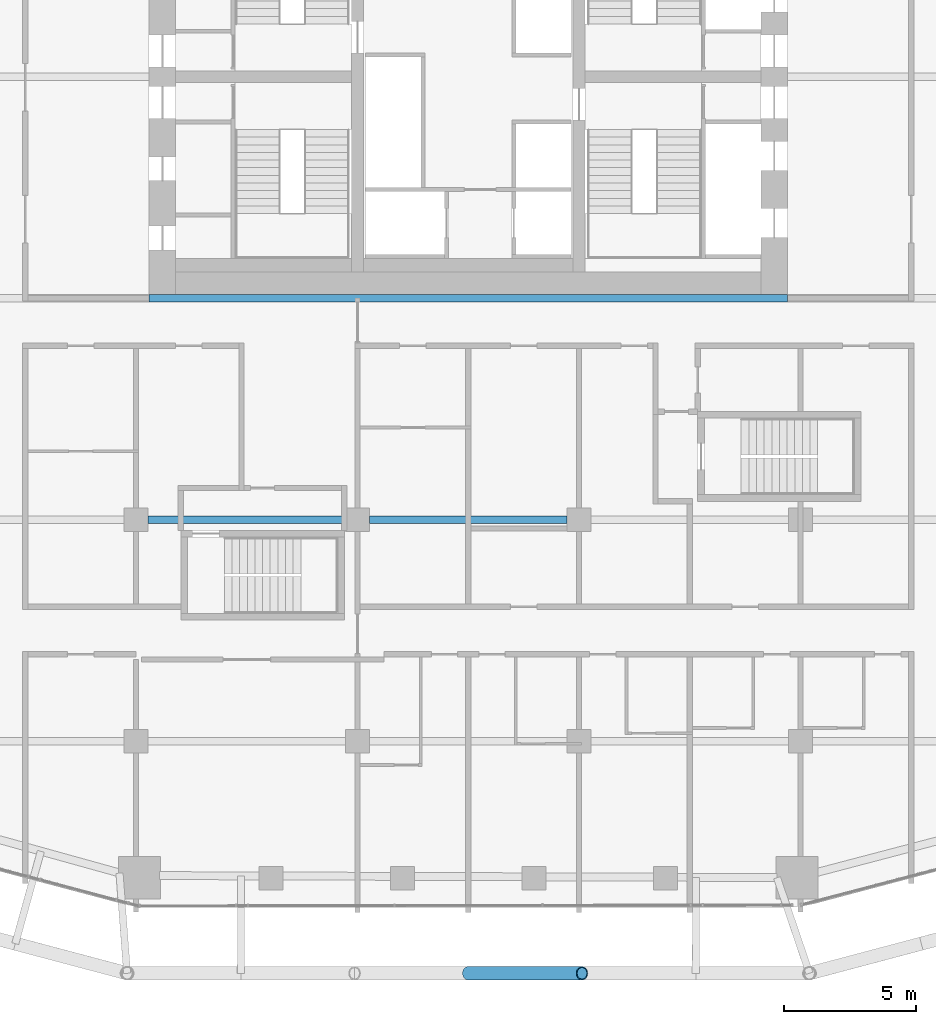
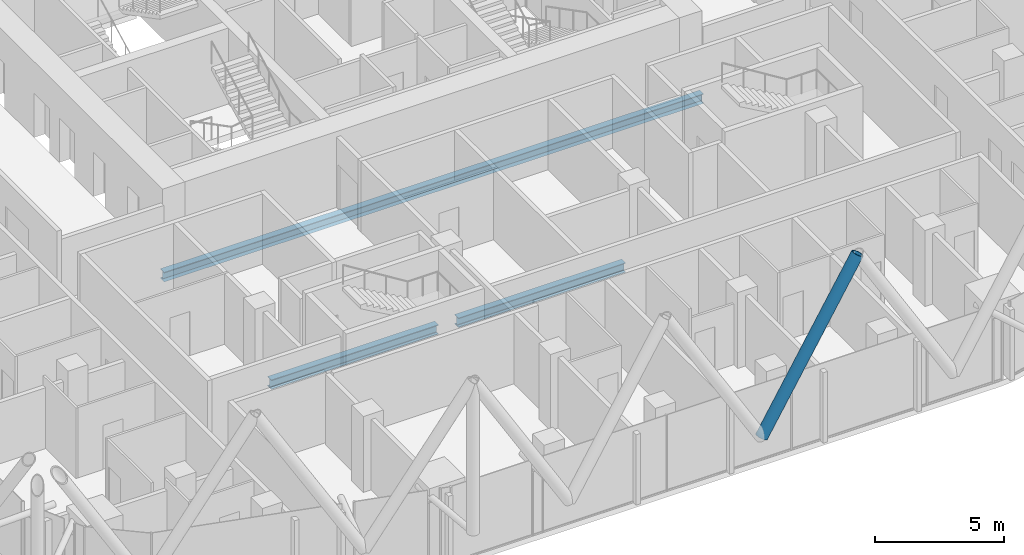
# One storey, part 5 of 36: 3 beams, 1 member.
"""IFC4 building model written with IfcOpenShell, lengths in metres."""

from ifc_helpers import new_model, si_unit, direction, frame, origin, origin_2d, place, context, subcontext, project, spatial, hollow_circle, i_section, extrude, material, material_profile, profile_set, type_object, element, save


model = new_model("IFC4")

# Units and contexts
model_context = context("Model", 3, precision=1e-05, world=origin(), true_north=direction((0.0, 1.0)))
body_context = subcontext(model_context, "Body", "Model", "MODEL_VIEW")
ifc_project = project(units=[si_unit("LENGTHUNIT", "METRE"), si_unit("AREAUNIT", "SQUARE_METRE"), si_unit("VOLUMEUNIT", "CUBIC_METRE"), si_unit("PLANEANGLEUNIT", "RADIAN"), si_unit("MASSUNIT", "GRAM", prefix="KILO")], contexts=[model_context])

# Site, building, storey
site_placement = place(None, origin())
site = spatial("IfcSite", under=ifc_project, at=site_placement, CompositionType="ELEMENT")
building_placement = place(site_placement, origin())
building = spatial("IfcBuilding", under=site, at=building_placement, Name="Marenta Gate Hotel Tower", CompositionType="ELEMENT")
storey_placement = place(building_placement, frame((0.0, 0.0, 144.5)))
storey = spatial("IfcBuildingStorey", under=building, at=storey_placement, Name="L33", CompositionType="ELEMENT", Elevation=144.5)

# Member
ifc_material_1 = material(Name="Steel S355J2W", Category="steel")
ifc_material_profile_1 = material_profile(ifc_material_1, hollow_circle(Radius=0.25390625, WallThickness=0.0400390625, at=origin_2d()), Name="CHS 508x40")
ifc_profile_set_1 = profile_set([ifc_material_profile_1], Name="Steel S355J2W")
member_type = type_object("IfcMemberType", Name="Diagrid diagonal Z2 CHS 508x40", PredefinedType="BRACE", material=ifc_profile_set_1)
member_placement = place(storey_placement, frame((0.0, -25.60009765625, 3.139892578125), z_axis=(0.513871079492, 0.0, 0.857867421961), x_axis=(0.0, 1.0, 0.0)))
element("IfcMember", 1, at=member_placement, inside=storey, type_object=member_type, Name="L33-DG-17", PredefinedType="BRACE", context=body_context, shape_type="SweptSolid", body=[
    extrude(hollow_circle(Radius=0.25390625, WallThickness=0.0400390625, at=origin_2d()), origin(), (0.0, 0.0, 1.0), 8.39306640625),
])

# Beams
ifc_material_2 = material(Name="Steel S355", Category="steel")
ifc_material_profile_2 = material_profile(ifc_material_2, i_section(OverallWidth=0.300048828125, OverallDepth=0.449951171875, WebThickness=0.013916015625, FlangeThickness=0.02587890625, FilletRadius=0.027099609375, at=origin_2d()), Name="HEB 450")
ifc_profile_set_2 = profile_set([ifc_material_profile_2], Name="Steel S355")
beam_type = type_object("IfcBeamType", Name="Girder HEB 450", PredefinedType="BEAM", material=ifc_profile_set_2)
for number, where, z_axis, x_axis, name in (
    (2, (-12.14990234375, -8.39990234375, -0.485107421875), (1.0, 0.0, 0.0), (0.0, 1.0, 0.0), "L33-GD-10"),
    (3, (-3.75, -8.39990234375, -0.485107421875), (1.0, 0.0, 0.0), (0.0, 1.0, 0.0), "L33-GD-11"),
):
    element("IfcBeam", number, at=place(storey_placement, frame(where, z_axis=z_axis, x_axis=x_axis)), inside=storey, type_object=beam_type, Name=name, PredefinedType="BEAM", context=body_context, shape_type="SweptSolid", body=[
        extrude(i_section(OverallWidth=0.300048828125, OverallDepth=0.449951171875, WebThickness=0.013916015625, FlangeThickness=0.02587890625, FilletRadius=0.027099609375, at=origin_2d()), origin(), (0.0, 0.0, 1.0), 7.5),
    ])
beam_placement = place(storey_placement, frame((-12.10009765625, 0.0, -0.485107421875), z_axis=(1.0, 0.0, 0.0), x_axis=(0.0, 1.0, 0.0)))
element("IfcBeam", 4, at=beam_placement, inside=storey, type_object=beam_type, Name="L33-GD-17", PredefinedType="BEAM", context=body_context, shape_type="SweptSolid", body=[
    extrude(i_section(OverallWidth=0.300048828125, OverallDepth=0.449951171875, WebThickness=0.013916015625, FlangeThickness=0.02587890625, FilletRadius=0.027099609375, at=origin_2d()), origin(), (0.0, 0.0, 1.0), 24.2001953125),
])

save(model, "model.ifc")
